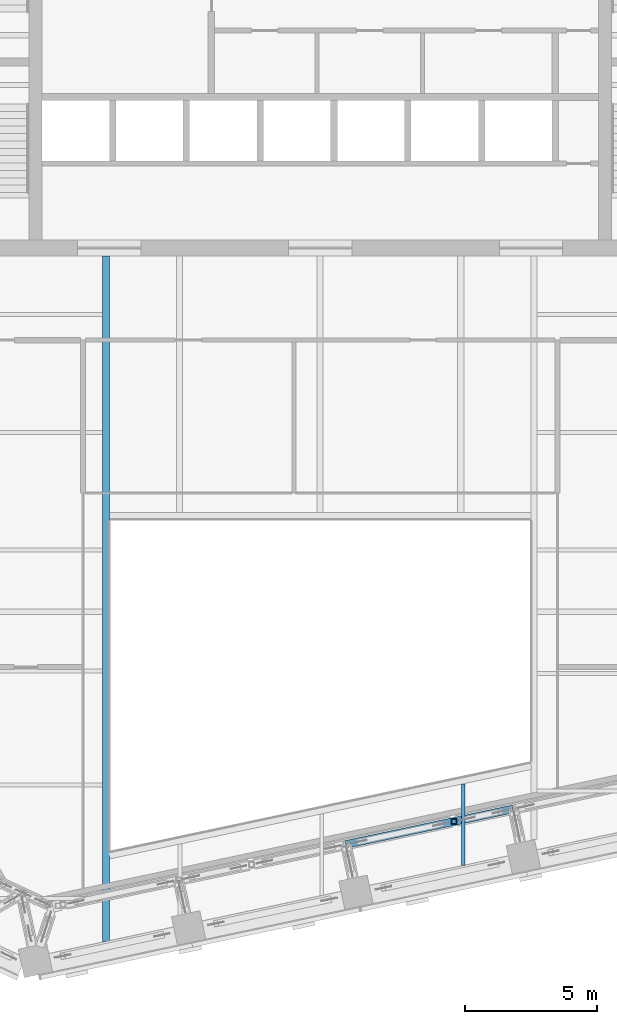
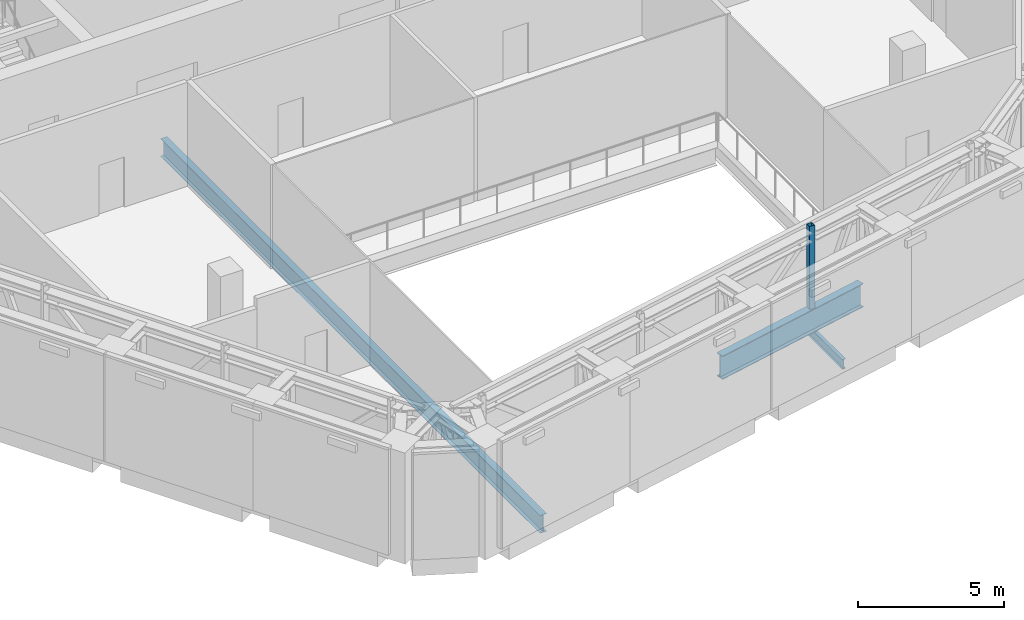
# One storey, part 4 of 25: 2 beams, 2 members.
"""IFC4 building model written with IfcOpenShell, lengths in metres."""

from ifc_helpers import new_model, si_unit, direction, frame, origin, origin_2d, place, context, subcontext, project, spatial, hollow_rectangle, i_section, extrude, material, material_profile, profile_set, type_object, element, save


model = new_model("IFC4")

# Units and contexts
model_context = context("Model", 3, precision=1e-05, world=origin(), true_north=direction((0.0, 1.0)))
body_context = subcontext(model_context, "Body", "Model", "MODEL_VIEW")
ifc_project = project(units=[si_unit("LENGTHUNIT", "METRE"), si_unit("AREAUNIT", "SQUARE_METRE"), si_unit("VOLUMEUNIT", "CUBIC_METRE"), si_unit("PLANEANGLEUNIT", "RADIAN"), si_unit("MASSUNIT", "GRAM", prefix="KILO")], contexts=[model_context])

# Site, building, storey
site_placement = place(None, origin())
site = spatial("IfcSite", under=ifc_project, at=site_placement, CompositionType="ELEMENT")
building_placement = place(site_placement, origin())
building = spatial("IfcBuilding", under=site, at=building_placement, Name="Isthmus Gate Tower", CompositionType="ELEMENT")
storey_placement = place(building_placement, frame((0.0, 0.0, 256.449951171875)))
storey = spatial("IfcBuildingStorey", under=building, at=storey_placement, Name="L65", CompositionType="ELEMENT", Elevation=256.449951171875)

# Beams
ifc_material_1 = material(Name="Structural steel ASTM A992 Gr 50", Category="steel")
ifc_material_profile_1 = material_profile(ifc_material_1, i_section(OverallWidth=0.1396484375, OverallDepth=0.4033203125, WebThickness=0.00634765625, FlangeThickness=0.010986328125, at=origin_2d()), Name="W16X31")
ifc_profile_set_1 = profile_set([ifc_material_profile_1], Name="Structural steel ASTM A992 Gr 50")
beam_type_1 = type_object("IfcBeamType", Name="STEEL FLOOR BEAM W16X31", PredefinedType="JOIST", material=ifc_profile_set_1)
beam_1_placement = place(storey_placement, frame((5.428466796875, -23.13037109375, -0.50146484375), z_axis=(0.0, 1.0, 0.0), x_axis=(-1.0, 0.0, 0.0)))
element("IfcBeam", 1, at=beam_1_placement, inside=storey, type_object=beam_type_1, Name="str-beam-L65-06-02", PredefinedType="JOIST", context=body_context, shape_type="SweptSolid", body=[
    extrude(i_section(OverallWidth=0.1396484375, OverallDepth=0.4033203125, WebThickness=0.00634765625, FlangeThickness=0.010986328125, at=origin_2d()), origin(), (0.0, 0.0, 1.0), 3.10107421875),
])
ifc_material_2 = material(Name="Structural steel ASTM A992 Gr 50", Category="steel")
ifc_material_profile_2 = material_profile(ifc_material_2, i_section(OverallWidth=0.263427734375, OverallDepth=0.749267578125, WebThickness=0.0126953125, FlangeThickness=0.015869140625, at=origin_2d()), Name="W30X90")
ifc_profile_set_2 = profile_set([ifc_material_profile_2], Name="Structural steel ASTM A992 Gr 50")
beam_type_2 = type_object("IfcBeamType", Name="STEEL TRIMMER W30X90", PredefinedType="BEAM", material=ifc_profile_set_2)
beam_2_placement = place(storey_placement, frame((-8.1318359375, 0.0, -0.674560546875), z_axis=(0.0, -1.0, 0.0), x_axis=(1.0, 0.0, 0.0)))
element("IfcBeam", 2, at=beam_2_placement, inside=storey, type_object=beam_type_2, Name="str-trimmer-L65-02", PredefinedType="BEAM", context=body_context, shape_type="SweptSolid", body=[
    extrude(i_section(OverallWidth=0.263427734375, OverallDepth=0.749267578125, WebThickness=0.0126953125, FlangeThickness=0.015869140625, at=origin_2d()), origin(), (0.0, 0.0, 1.0), 26.012939453125),
])

# Members
ifc_material_3 = material(Name="Structural steel ASTM A913 Gr 65", Category="steel")
ifc_material_profile_3 = material_profile(ifc_material_3, i_section(OverallWidth=0.29833984375, OverallDepth=0.981201171875, WebThickness=0.015869140625, FlangeThickness=0.025390625, at=origin_2d()), Name="W40X167")
ifc_profile_set_3 = profile_set([ifc_material_profile_3], Name="Structural steel ASTM A913 Gr 65")
member_type_1 = type_object("IfcMemberType", Name="TRANSFER TRUSS CHORD W40X167", PredefinedType="CHORD", material=ifc_profile_set_3)
member_1_placement = place(storey_placement, frame((7.323486328125, -20.9833984375, 0.490478515625), z_axis=(-0.97815330624, -0.207884846712, 0.0), x_axis=(0.207884846712, -0.97815330624, 0.0)))
element("IfcMember", 3, at=member_1_placement, inside=storey, type_object=member_type_1, Name="str-ring05-L65-11", PredefinedType="CHORD", context=body_context, shape_type="SweptSolid", body=[
    extrude(i_section(OverallWidth=0.29833984375, OverallDepth=0.981201171875, WebThickness=0.015869140625, FlangeThickness=0.025390625, at=origin_2d()), origin(), (0.0, 0.0, 1.0), 6.490966796875),
])
ifc_material_4 = material(Name="Structural steel ASTM A500 Gr C", Category="steel")
ifc_material_profile_4 = material_profile(ifc_material_4, hollow_rectangle(XDim=0.203125, YDim=0.203125, WallThickness=0.01171875, at=origin_2d()), Name="HSS8X8X1/2")
ifc_profile_set_4 = profile_set([ifc_material_profile_4], Name="Structural steel ASTM A500 Gr C")
member_type_2 = type_object("IfcMemberType", Name="TRANSFER TRUSS POST HSS8X8X1/2", PredefinedType="POST", material=ifc_profile_set_4)
member_2_placement = place(storey_placement, frame((5.07958984375, -21.460205078125, 0.981201171875), z_axis=(0.0, 0.0, 1.0), x_axis=(1.0, 0.0, 0.0)))
element("IfcMember", 4, at=member_2_placement, inside=storey, type_object=member_type_2, Name="str-ring05-L65-04", PredefinedType="POST", context=body_context, shape_type="SweptSolid", body=[
    extrude(hollow_rectangle(XDim=0.203125, YDim=0.203125, WallThickness=0.01171875, at=origin_2d()), origin(), (0.0, 0.0, 1.0), 3.46875),
])

save(model, "model.ifc")
